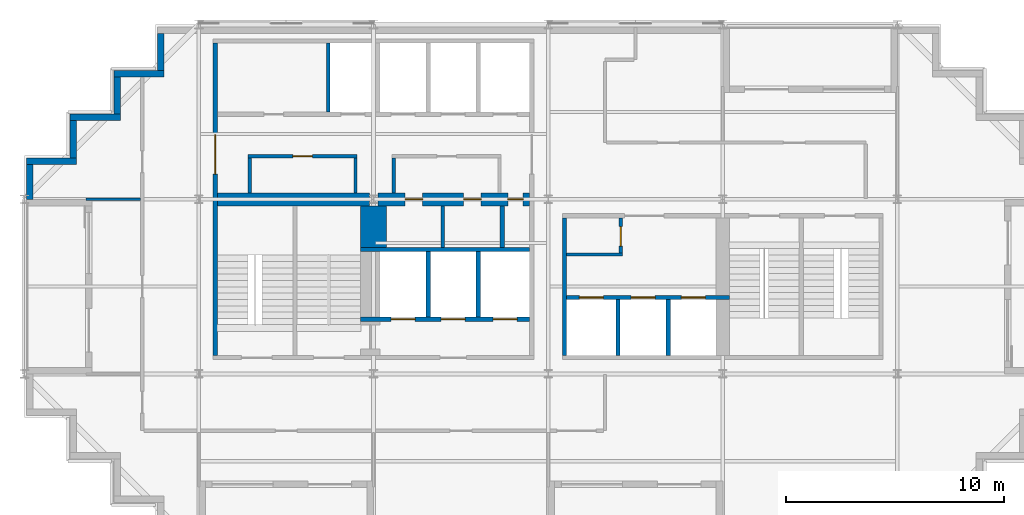
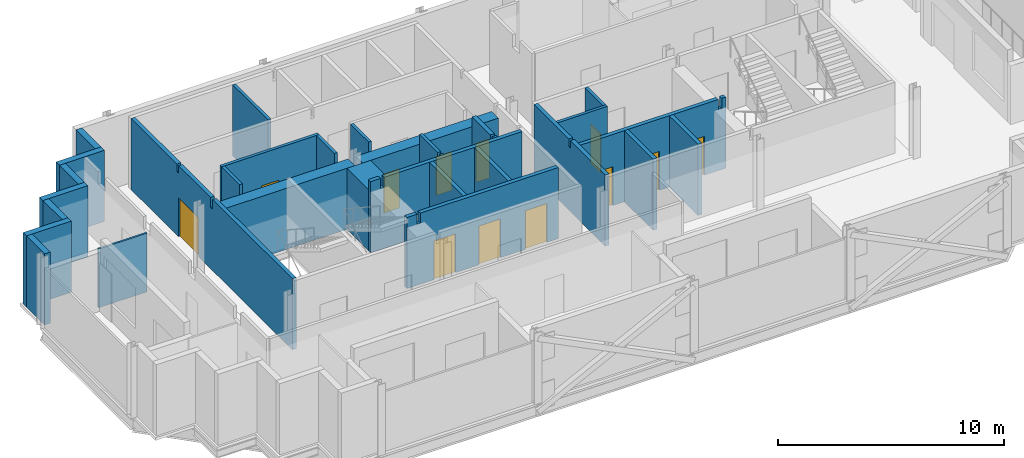
# One storey, part 5 of 8: 29 walls, 12 doors, 12 openings.
"""IFC4 building model written with IfcOpenShell, lengths in metres."""

from ifc_helpers import new_model, si_unit, direction, frame, frame_2d, origin, place, context, subcontext, project, spatial, polyline, rectangle, outline, extrude, material, layer, layer_set, type_object, element, fill, save


model = new_model("IFC4")

# Units and contexts
model_context = context("Model", 3, precision=1e-05, world=origin(), true_north=direction((0.0, 1.0)))
body_context = subcontext(model_context, "Body", "Model", "MODEL_VIEW")
ifc_project = project(units=[si_unit("LENGTHUNIT", "METRE"), si_unit("AREAUNIT", "SQUARE_METRE"), si_unit("VOLUMEUNIT", "CUBIC_METRE"), si_unit("PLANEANGLEUNIT", "RADIAN"), si_unit("MASSUNIT", "GRAM", prefix="KILO")], contexts=[model_context])

# Site, building, storey
site_placement = place(None, origin())
site = spatial("IfcSite", under=ifc_project, at=site_placement, CompositionType="ELEMENT")
building_placement = place(site_placement, origin())
building = spatial("IfcBuilding", under=site, at=building_placement, Name="Immortelle Media Tower", CompositionType="ELEMENT")
storey_placement = place(building_placement, frame((0.0, 0.0, 267.0)))
storey = spatial("IfcBuildingStorey", under=building, at=storey_placement, Name="L58", CompositionType="ELEMENT", Elevation=267.0)

# Wall, openings, doors
ifc_material_1 = material(Name="Fire-rated masonry blockwork", Category="masonry")
ifc_layer_1 = layer(ifc_material_1, 0.60009765625)
ifc_layer_set_1 = layer_set([ifc_layer_1], Name="Fire-rated masonry blockwork")
wall_type_1 = type_object("IfcWallType", Name="Core grid-line wall 600", PredefinedType="PARTITIONING", material=ifc_layer_set_1)
wall_1_placement = place(storey_placement, frame((16.195556640625, 16.0, 0.0), z_axis=(0.0, 0.0, 1.0), x_axis=(1.0, 0.0, 0.0)))
wall_1 = element("IfcWall", 1, at=wall_1_placement, inside=storey, type_object=wall_type_1, Name="Core grid-line wall SW", PredefinedType="PARTITIONING", context=body_context, shape_type="SweptSolid", body=[
    extrude(rectangle(XDim=6.954345703125, YDim=0.60009765625, at=frame_2d((3.47705078125, 0.0))), origin(), (0.0, 0.0, 1.0), 3.30810546875),
])
opening_1_placement = place(wall_1_placement, frame((2.054443359375, 0.0, 0.0), z_axis=(0.0, 0.0, 1.0), x_axis=(-1.0, 0.0, 0.0)))
opening_1 = element("IfcOpeningElement", 2, at=opening_1_placement, cuts=wall_1, Name="Opening X3-K010", PredefinedType="OPENING", context=body_context, shape_type="SweptSolid", body=[
    extrude(rectangle(XDim=0.800048828125, YDim=2.10009765625, at=frame_2d((0.39990234375, 1.050048828125))), frame((0.0, 0.31005859375, 0.0), z_axis=(0.0, -1.0, 0.0), x_axis=(1.0, 0.0, 0.0)), (0.0, 0.0, 1.0), 0.6201171875),
])
opening_2_placement = place(wall_1_placement, frame((4.7294921875, 0.0, 0.0), z_axis=(0.0, 0.0, 1.0), x_axis=(-1.0, 0.0, 0.0)))
opening_2 = element("IfcOpeningElement", 3, at=opening_2_placement, cuts=wall_1, Name="Opening X3-K015", PredefinedType="OPENING", context=body_context, shape_type="SweptSolid", body=[
    extrude(rectangle(XDim=0.800048828125, YDim=2.10009765625, at=frame_2d((0.39990234375, 1.050048828125))), frame((0.0, 0.31005859375, 0.0), z_axis=(0.0, -1.0, 0.0), x_axis=(1.0, 0.0, 0.0)), (0.0, 0.0, 1.0), 0.6201171875),
])
opening_3_placement = place(wall_1_placement, frame((6.654541015625, 0.0, 0.0), z_axis=(0.0, 0.0, 1.0), x_axis=(-1.0, 0.0, 0.0)))
opening_3 = element("IfcOpeningElement", 4, at=opening_3_placement, cuts=wall_1, Name="Opening X3-K018", PredefinedType="OPENING", context=body_context, shape_type="SweptSolid", body=[
    extrude(rectangle(XDim=0.699951171875, YDim=2.10009765625, at=frame_2d((0.35009765625, 1.050048828125))), frame((0.0, 0.31005859375, 0.0), z_axis=(0.0, -1.0, 0.0), x_axis=(1.0, 0.0, 0.0)), (0.0, 0.0, 1.0), 0.6201171875),
])
ifc_material_2 = material(Name="Galvanised steel door leaf and frame ASTM A653", Category="steel")
door_type_1 = type_object("IfcDoorType", Name="Service door 700 x 2100", OperationType="NOTDEFINED", PredefinedType="NOTDEFINED", material=ifc_material_2)
door_1_placement = place(opening_3_placement, origin())
door_1 = element("IfcDoor", 5, at=door_1_placement, inside=storey, type_object=door_type_1, Name="Service X3-K018", OperationType="SINGLE_SWING_LEFT", OverallHeight=2.10009765625, OverallWidth=0.699951171875, PredefinedType="NOTDEFINED", context=body_context, shape_type="SweptSolid", body=[
    extrude(rectangle(XDim=0.699951171875, YDim=2.10009765625, at=frame_2d((0.35009765625, 1.050048828125))), frame((0.0, 0.02490234375, 0.0), z_axis=(0.0, -1.0, 0.0), x_axis=(1.0, 0.0, 0.0)), (0.0, 0.0, 1.0), 0.050048828125),
])
fill(opening_3, door_1)
ifc_material_3 = material(Name="Timber", Category="wood")
door_type_2 = type_object("IfcDoorType", Name="Toilet door 800 x 2100", OperationType="NOTDEFINED", PredefinedType="NOTDEFINED", material=ifc_material_3)
door_2_placement = place(opening_1_placement, origin())
door_2 = element("IfcDoor", 6, at=door_2_placement, inside=storey, type_object=door_type_2, Name="Toilet X3-K010", OperationType="SINGLE_SWING_RIGHT", OverallHeight=2.10009765625, OverallWidth=0.800048828125, PredefinedType="NOTDEFINED", context=body_context, shape_type="SweptSolid", body=[
    extrude(rectangle(XDim=0.800048828125, YDim=2.10009765625, at=frame_2d((0.39990234375, 1.050048828125))), frame((0.0, 0.02490234375, 0.0), z_axis=(0.0, -1.0, 0.0), x_axis=(1.0, 0.0, 0.0)), (0.0, 0.0, 1.0), 0.050048828125),
])
fill(opening_1, door_2)
door_3_placement = place(opening_2_placement, origin())
door_3 = element("IfcDoor", 7, at=door_3_placement, inside=storey, type_object=door_type_2, Name="Toilet X3-K015", OperationType="SINGLE_SWING_LEFT", OverallHeight=2.10009765625, OverallWidth=0.800048828125, PredefinedType="NOTDEFINED", context=body_context, shape_type="SweptSolid", body=[
    extrude(rectangle(XDim=0.800048828125, YDim=2.10009765625, at=frame_2d((0.39990234375, 1.050048828125))), frame((0.0, 0.02490234375, 0.0), z_axis=(0.0, -1.0, 0.0), x_axis=(1.0, 0.0, 0.0)), (0.0, 0.0, 1.0), 0.050048828125),
])
fill(opening_2, door_3)

# Wall
ifc_material_4 = material(Name="Fire-rated gypsum board", Category="gypsum")
ifc_layer_2 = layer(ifc_material_4, 0.02490234375)
ifc_material_5 = material(Name="Steel ASTM A653 SS Gr 50 stud frame with mineral wool", Category="steel")
ifc_layer_3 = layer(ifc_material_5, 0.10009765625)
ifc_layer_4 = layer(ifc_material_4, 0.02490234375)
ifc_layer_set_2 = layer_set([ifc_layer_2, ifc_layer_3, ifc_layer_4], Name="Steel ASTM A653 SS Gr 50 stud frame with mineral wool")
wall_type_2 = type_object("IfcWallType", Name="Core partition 150", PredefinedType="PARTITIONING", material=ifc_layer_set_2)
wall_2_placement = place(storey_placement, frame((10.324951171875, 16.300048828125, 0.0), z_axis=(0.0, 0.0, 1.0), x_axis=(0.0, 1.0, 0.0)))
element("IfcWall", 8, at=wall_2_placement, inside=storey, type_object=wall_type_2, Name="Core partition SW", PredefinedType="PARTITIONING", context=body_context, shape_type="SweptSolid", body=[
    extrude(rectangle(XDim=1.599853515625, YDim=0.14990234375, at=frame_2d((0.7998046875, 0.0))), origin(), (0.0, 0.0, 1.0), 3.85009765625),
])

# Wall, opening, door
wall_3_placement = place(storey_placement, frame((10.25, 17.97509765625, 0.0), z_axis=(0.0, 0.0, 1.0), x_axis=(1.0, 0.0, 0.0)))
wall_3 = element("IfcWall", 9, at=wall_3_placement, inside=storey, type_object=wall_type_2, Name="Core partition SW", PredefinedType="PARTITIONING", context=body_context, shape_type="SweptSolid", body=[
    extrude(rectangle(XDim=5.0, YDim=0.14990234375, at=frame_2d((2.5, 0.0))), origin(), (0.0, 0.0, 1.0), 3.85009765625),
])
opening_4_placement = place(wall_3_placement, frame((2.949951171875, 0.0, 0.0), z_axis=(0.0, 0.0, 1.0), x_axis=(-1.0, 0.0, 0.0)))
opening_4 = element("IfcOpeningElement", 10, at=opening_4_placement, cuts=wall_3, Name="Opening X3-K004", PredefinedType="OPENING", context=body_context, shape_type="SweptSolid", body=[
    extrude(rectangle(XDim=0.89990234375, YDim=2.10009765625, at=frame_2d((0.449951171875, 1.050048828125))), frame((0.0, 0.0849609375, 0.0), z_axis=(0.0, -1.0, 0.0), x_axis=(1.0, 0.0, 0.0)), (0.0, 0.0, 1.0), 0.169921875),
])
door_type_3 = type_object("IfcDoorType", Name="Room door 900 x 2100", OperationType="NOTDEFINED", PredefinedType="NOTDEFINED", material=ifc_material_3)
door_4_placement = place(opening_4_placement, origin())
door_4 = element("IfcDoor", 11, at=door_4_placement, inside=storey, type_object=door_type_3, Name="Room X3-K004", OperationType="SINGLE_SWING_RIGHT", OverallHeight=2.10009765625, OverallWidth=0.89990234375, PredefinedType="NOTDEFINED", context=body_context, shape_type="SweptSolid", body=[
    extrude(rectangle(XDim=0.89990234375, YDim=2.10009765625, at=frame_2d((0.449951171875, 1.050048828125))), frame((0.0, 0.02490234375, 0.0), z_axis=(0.0, -1.0, 0.0), x_axis=(1.0, 0.0, 0.0)), (0.0, 0.0, 1.0), 0.050048828125),
])
fill(opening_4, door_4)

# Walls
wall_4_placement = place(storey_placement, frame((13.925048828125, 20.0, 0.0), z_axis=(0.0, 0.0, 1.0), x_axis=(0.0, 1.0, 0.0)))
element("IfcWall", 12, at=wall_4_placement, inside=storey, type_object=wall_type_2, Name="Core partition SW", PredefinedType="PARTITIONING", context=body_context, shape_type="SweptSolid", body=[
    extrude(rectangle(XDim=3.14990234375, YDim=0.14990234375, at=frame_2d((1.574951171875, 0.0))), origin(), (0.0, 0.0, 1.0), 3.85009765625),
])
for number, where, z_axis, x_axis, name in (
    (13, (15.175048828125, 16.300048828125, 0.0), (0.0, 0.0, 1.0), (0.0, 1.0, 0.0), "Core partition SW"),
    (14, (16.925048828125, 16.300048828125, 0.0), (0.0, 0.0, 1.0), (0.0, 1.0, 0.0), "Core partition SW"),
):
    element("IfcWall", number, at=place(storey_placement, frame(where, z_axis=z_axis, x_axis=x_axis)), inside=storey, type_object=wall_type_2, Name=name, PredefinedType="PARTITIONING", context=body_context, shape_type="SweptSolid", body=[
        extrude(rectangle(XDim=1.599853515625, YDim=0.14990234375, at=frame_2d((0.7998046875, 0.0))), origin(), (0.0, 0.0, 1.0), 3.85009765625),
    ])
wall_5_placement = place(storey_placement, frame((19.175048828125, 13.800048828125, 0.0), z_axis=(0.0, 0.0, 1.0), x_axis=(0.0, 1.0, 0.0)))
element("IfcWall", 15, at=wall_5_placement, inside=storey, type_object=wall_type_2, Name="Core partition SW", PredefinedType="PARTITIONING", context=body_context, shape_type="SweptSolid", body=[
    extrude(outline(polyline([(0.0, 0.0), (1.89990234375, 0.0), (1.89990234375, 3.85009765625), (0.27490234375, 3.85009765625), (0.27392578125, 3.43994140625), (0.1259765625, 3.43994140625), (0.125, 3.85009765625), (0.0, 3.85009765625), (0.0, 0.0)])), frame((0.0, 0.074951171875, 0.0), z_axis=(0.0, -1.0, 0.0), x_axis=(1.0, 0.0, 0.0)), (0.0, 0.0, 1.0), 0.14990234375),
])
wall_6_placement = place(storey_placement, frame((24.85009765625, 13.47509765625, 0.0), z_axis=(0.0, 0.0, 1.0), x_axis=(1.0, 0.0, 0.0)))
element("IfcWall", 16, at=wall_6_placement, inside=storey, type_object=wall_type_2, Name="Core partition SE", PredefinedType="PARTITIONING", context=body_context, shape_type="SweptSolid", body=[
    extrude(rectangle(XDim=2.5498046875, YDim=0.14990234375, at=frame_2d((1.27490234375, 0.0))), origin(), (0.0, 0.0, 1.0), 3.85009765625),
])

# Wall, opening, door
wall_7_placement = place(storey_placement, frame((27.324951171875, 13.550048828125, 0.0), z_axis=(0.0, 0.0, 1.0), x_axis=(0.0, 1.0, 0.0)))
wall_7 = element("IfcWall", 17, at=wall_7_placement, inside=storey, type_object=wall_type_2, Name="Core partition SE", PredefinedType="PARTITIONING", context=body_context, shape_type="SweptSolid", body=[
    extrude(rectangle(XDim=1.599853515625, YDim=0.14990234375, at=frame_2d((0.7998046875, 0.0))), origin(), (0.0, 0.0, 1.0), 3.85009765625),
])
opening_5_placement = place(wall_7_placement, frame((0.300048828125, 0.0, 0.0)))
opening_5 = element("IfcOpeningElement", 18, at=opening_5_placement, cuts=wall_7, Name="Opening X3-K021", PredefinedType="OPENING", context=body_context, shape_type="SweptSolid", body=[
    extrude(rectangle(XDim=0.89990234375, YDim=2.10009765625, at=frame_2d((0.449951171875, 1.050048828125))), frame((0.0, 0.0849609375, 0.0), z_axis=(0.0, -1.0, 0.0), x_axis=(1.0, 0.0, 0.0)), (0.0, 0.0, 1.0), 0.169921875),
])
door_type_4 = type_object("IfcDoorType", Name="Service door 900 x 2100", OperationType="NOTDEFINED", PredefinedType="NOTDEFINED", material=ifc_material_2)
door_5_placement = place(opening_5_placement, origin())
door_5 = element("IfcDoor", 19, at=door_5_placement, inside=storey, type_object=door_type_4, Name="Service X3-K021", OperationType="SINGLE_SWING_LEFT", OverallHeight=2.10009765625, OverallWidth=0.89990234375, PredefinedType="NOTDEFINED", context=body_context, shape_type="SweptSolid", body=[
    extrude(rectangle(XDim=0.89990234375, YDim=2.10009765625, at=frame_2d((0.449951171875, 1.050048828125))), frame((0.0, 0.02490234375, 0.0), z_axis=(0.0, -1.0, 0.0), x_axis=(1.0, 0.0, 0.0)), (0.0, 0.0, 1.0), 0.050048828125),
])
fill(opening_5, door_5)

# Wall, openings, doors
ifc_layer_5 = layer(ifc_material_4, 0.03759765625)
ifc_layer_6 = layer(ifc_material_5, 0.125)
ifc_layer_7 = layer(ifc_material_4, 0.03759765625)
ifc_layer_set_3 = layer_set([ifc_layer_5, ifc_layer_6, ifc_layer_7], Name="Steel ASTM A653 SS Gr 50 stud frame with mineral wool")
wall_type_3 = type_object("IfcWallType", Name="Core shaft wall 200", PredefinedType="PARTITIONING", material=ifc_layer_set_3)
wall_8_placement = place(storey_placement, frame((15.39990234375, 10.5, 0.0), z_axis=(0.0, 0.0, 1.0), x_axis=(1.0, 0.0, 0.0)))
wall_8 = element("IfcWall", 20, at=wall_8_placement, inside=storey, type_object=wall_type_3, Name="Core shaft wall SW", PredefinedType="PARTITIONING", context=body_context, shape_type="SweptSolid", body=[
    extrude(outline(polyline([(0.0, 0.0), (7.75, 0.0), (7.75, 3.85009765625), (0.6884765625, 3.85009765625), (0.6875, 3.30810546875), (0.512451171875, 3.30810546875), (0.511474609375, 3.85009765625), (0.0, 3.85009765625), (0.0, 0.0)])), frame((0.0, 0.10009765625, 0.0), z_axis=(0.0, -1.0, 0.0), x_axis=(1.0, 0.0, 0.0)), (0.0, 0.0, 1.0), 0.199951171875),
])
opening_6_placement = place(wall_8_placement, frame((1.39990234375, 0.0, 0.0)))
opening_6 = element("IfcOpeningElement", 21, at=opening_6_placement, cuts=wall_8, Name="Opening LD", PredefinedType="OPENING", context=body_context, shape_type="SweptSolid", body=[
    extrude(rectangle(XDim=1.10009765625, YDim=2.10009765625, at=frame_2d((0.550048828125, 1.050048828125))), frame((0.0, 0.10986328125, 0.0), z_axis=(0.0, -1.0, 0.0), x_axis=(1.0, 0.0, 0.0)), (0.0, 0.0, 1.0), 0.219970703125),
])
opening_7_placement = place(wall_8_placement, frame((3.699951171875, 0.0, 0.0)))
opening_7 = element("IfcOpeningElement", 22, at=opening_7_placement, cuts=wall_8, Name="Opening LD", PredefinedType="OPENING", context=body_context, shape_type="SweptSolid", body=[
    extrude(rectangle(XDim=1.10009765625, YDim=2.10009765625, at=frame_2d((0.550048828125, 1.050048828125))), frame((0.0, 0.10986328125, 0.0), z_axis=(0.0, -1.0, 0.0), x_axis=(1.0, 0.0, 0.0)), (0.0, 0.0, 1.0), 0.219970703125),
])
opening_8_placement = place(wall_8_placement, frame((6.074951171875, 0.0, 0.0)))
opening_8 = element("IfcOpeningElement", 23, at=opening_8_placement, cuts=wall_8, Name="Opening LD", PredefinedType="OPENING", context=body_context, shape_type="SweptSolid", body=[
    extrude(rectangle(XDim=1.10009765625, YDim=2.10009765625, at=frame_2d((0.550048828125, 1.050048828125))), frame((0.0, 0.10986328125, 0.0), z_axis=(0.0, -1.0, 0.0), x_axis=(1.0, 0.0, 0.0)), (0.0, 0.0, 1.0), 0.219970703125),
])
ifc_material_6 = material(Name="Stainless steel AISI 304", Category="steel")
door_type_5 = type_object("IfcDoorType", Name="Landing door 1100 x 2100", OperationType="SLIDING_TO_LEFT", PredefinedType="NOTDEFINED", material=ifc_material_6)
door_6_placement = place(opening_6_placement, origin())
door_6 = element("IfcDoor", 24, at=door_6_placement, inside=storey, type_object=door_type_5, Name="Landing door FF1 L58", OperationType="SLIDING_TO_LEFT", OverallHeight=2.10009765625, OverallWidth=1.10009765625, PredefinedType="NOTDEFINED", context=body_context, shape_type="SweptSolid", body=[
    extrude(rectangle(XDim=1.10009765625, YDim=2.10009765625, at=frame_2d((0.550048828125, 1.050048828125))), frame((0.0, 0.02490234375, 0.0), z_axis=(0.0, -1.0, 0.0), x_axis=(1.0, 0.0, 0.0)), (0.0, 0.0, 1.0), 0.050048828125),
])
fill(opening_6, door_6)
door_7_placement = place(opening_7_placement, origin())
door_7 = element("IfcDoor", 25, at=door_7_placement, inside=storey, type_object=door_type_5, Name="Landing door FF2 L58", OperationType="SLIDING_TO_LEFT", OverallHeight=2.10009765625, OverallWidth=1.10009765625, PredefinedType="NOTDEFINED", context=body_context, shape_type="SweptSolid", body=[
    extrude(rectangle(XDim=1.10009765625, YDim=2.10009765625, at=frame_2d((0.550048828125, 1.050048828125))), frame((0.0, 0.02490234375, 0.0), z_axis=(0.0, -1.0, 0.0), x_axis=(1.0, 0.0, 0.0)), (0.0, 0.0, 1.0), 0.050048828125),
])
fill(opening_7, door_7)
door_8_placement = place(opening_8_placement, origin())
door_8 = element("IfcDoor", 26, at=door_8_placement, inside=storey, type_object=door_type_5, Name="Landing door FF3 L58", OperationType="SLIDING_TO_LEFT", OverallHeight=2.10009765625, OverallWidth=1.10009765625, PredefinedType="NOTDEFINED", context=body_context, shape_type="SweptSolid", body=[
    extrude(rectangle(XDim=1.10009765625, YDim=2.10009765625, at=frame_2d((0.550048828125, 1.050048828125))), frame((0.0, 0.02490234375, 0.0), z_axis=(0.0, -1.0, 0.0), x_axis=(1.0, 0.0, 0.0)), (0.0, 0.0, 1.0), 0.050048828125),
])
fill(opening_8, door_8)

# Walls
wall_9_placement = place(storey_placement, frame((15.39990234375, 13.699951171875, 0.0), z_axis=(0.0, 0.0, 1.0), x_axis=(1.0, 0.0, 0.0)))
element("IfcWall", 27, at=wall_9_placement, inside=storey, type_object=wall_type_3, Name="Core shaft wall SW", PredefinedType="PARTITIONING", context=body_context, shape_type="SweptSolid", body=[
    extrude(outline(polyline([(0.0, 0.0), (7.75, 0.0), (7.75, 3.85009765625), (0.6884765625, 3.85009765625), (0.6875, 3.30810546875), (0.512451171875, 3.30810546875), (0.511474609375, 3.85009765625), (0.0, 3.85009765625), (0.0, 0.0)])), frame((0.0, 0.10009765625, 0.0), z_axis=(0.0, -1.0, 0.0), x_axis=(1.0, 0.0, 0.0)), (0.0, 0.0, 1.0), 0.199951171875),
])
for number, where, z_axis, x_axis, name in (
    (28, (18.5, 10.60009765625, 0.0), (0.0, 0.0, 1.0), (0.0, 1.0, 0.0), "Core shaft wall SW"),
    (29, (20.800048828125, 10.60009765625, 0.0), (0.0, 0.0, 1.0), (0.0, 1.0, 0.0), "Core shaft wall SW"),
):
    element("IfcWall", number, at=place(storey_placement, frame(where, z_axis=z_axis, x_axis=x_axis)), inside=storey, type_object=wall_type_3, Name=name, PredefinedType="PARTITIONING", context=body_context, shape_type="SweptSolid", body=[
        extrude(rectangle(XDim=3.0, YDim=0.199951171875, at=frame_2d((1.5, 0.0))), origin(), (0.0, 0.0, 1.0), 3.85009765625),
    ])
wall_10_placement = place(storey_placement, frame((21.89990234375, 13.800048828125, 0.0), z_axis=(0.0, 0.0, 1.0), x_axis=(0.0, 1.0, 0.0)))
element("IfcWall", 30, at=wall_10_placement, inside=storey, type_object=wall_type_3, Name="Core shaft wall SW", PredefinedType="PARTITIONING", context=body_context, shape_type="SweptSolid", body=[
    extrude(outline(polyline([(0.0, 0.0), (1.89990234375, 0.0), (1.89990234375, 3.85009765625), (0.27490234375, 3.85009765625), (0.27392578125, 3.43994140625), (0.1259765625, 3.43994140625), (0.125, 3.85009765625), (0.0, 3.85009765625), (0.0, 0.0)])), frame((0.0, 0.10009765625, 0.0), z_axis=(0.0, -1.0, 0.0), x_axis=(1.0, 0.0, 0.0)), (0.0, 0.0, 1.0), 0.199951171875),
])
wall_11_placement = place(storey_placement, frame((24.75, 8.85009765625, 0.0), z_axis=(0.0, 0.0, 1.0), x_axis=(0.0, 1.0, 0.0)))
element("IfcWall", 31, at=wall_11_placement, inside=storey, type_object=wall_type_3, Name="Core shaft wall SE", PredefinedType="PARTITIONING", context=body_context, shape_type="SweptSolid", body=[
    extrude(outline(polyline([(0.0, 0.0), (6.2998046875, 0.0), (6.300048828125, 3.85009765625), (3.22509765625, 3.85009765625), (3.22412109375, 3.43994140625), (3.075927734375, 3.43994140625), (3.074951171875, 3.85009765625), (0.0, 3.85009765625), (0.0, 0.0)])), frame((0.0, 0.10009765625, 0.0), z_axis=(0.0, -1.0, 0.0), x_axis=(1.0, 0.0, 0.0)), (0.0, 0.0, 1.0), 0.199951171875),
])

# Wall, openings, doors
wall_12_placement = place(storey_placement, frame((24.85009765625, 11.5, 0.0), z_axis=(0.0, 0.0, 1.0), x_axis=(1.0, 0.0, 0.0)))
wall_12 = element("IfcWall", 32, at=wall_12_placement, inside=storey, type_object=wall_type_3, Name="Core shaft wall SE", PredefinedType="PARTITIONING", context=body_context, shape_type="SweptSolid", body=[
    extrude(outline(polyline([(0.0, 0.0), (7.449951171875, 0.0), (7.449951171875, 3.85009765625), (7.238525390625, 3.85009765625), (7.237548828125, 3.30810546875), (7.0625, 3.30810546875), (7.0615234375, 3.85009765625), (0.0, 3.85009765625), (0.0, 0.0)])), frame((0.0, 0.10009765625, 0.0), z_axis=(0.0, -1.0, 0.0), x_axis=(1.0, 0.0, 0.0)), (0.0, 0.0, 1.0), 0.199951171875),
])
opening_9_placement = place(wall_12_placement, frame((0.574951171875, 0.0, 0.0)))
opening_9 = element("IfcOpeningElement", 33, at=opening_9_placement, cuts=wall_12, Name="Opening LD", PredefinedType="OPENING", context=body_context, shape_type="SweptSolid", body=[
    extrude(rectangle(XDim=1.10009765625, YDim=2.10009765625, at=frame_2d((0.550048828125, 1.050048828125))), frame((0.0, 0.10986328125, 0.0), z_axis=(0.0, -1.0, 0.0), x_axis=(1.0, 0.0, 0.0)), (0.0, 0.0, 1.0), 0.219970703125),
])
opening_10_placement = place(wall_12_placement, frame((2.949951171875, 0.0, 0.0)))
opening_10 = element("IfcOpeningElement", 34, at=opening_10_placement, cuts=wall_12, Name="Opening LD", PredefinedType="OPENING", context=body_context, shape_type="SweptSolid", body=[
    extrude(rectangle(XDim=1.10009765625, YDim=2.10009765625, at=frame_2d((0.550048828125, 1.050048828125))), frame((0.0, 0.10986328125, 0.0), z_axis=(0.0, -1.0, 0.0), x_axis=(1.0, 0.0, 0.0)), (0.0, 0.0, 1.0), 0.219970703125),
])
opening_11_placement = place(wall_12_placement, frame((5.25, 0.0, 0.0)))
opening_11 = element("IfcOpeningElement", 35, at=opening_11_placement, cuts=wall_12, Name="Opening LD", PredefinedType="OPENING", context=body_context, shape_type="SweptSolid", body=[
    extrude(rectangle(XDim=1.10009765625, YDim=2.10009765625, at=frame_2d((0.550048828125, 1.050048828125))), frame((0.0, 0.10986328125, 0.0), z_axis=(0.0, -1.0, 0.0), x_axis=(1.0, 0.0, 0.0)), (0.0, 0.0, 1.0), 0.219970703125),
])
door_9_placement = place(opening_9_placement, origin())
door_9 = element("IfcDoor", 36, at=door_9_placement, inside=storey, type_object=door_type_5, Name="Landing door HS1 L58", OperationType="SLIDING_TO_LEFT", OverallHeight=2.10009765625, OverallWidth=1.10009765625, PredefinedType="NOTDEFINED", context=body_context, shape_type="SweptSolid", body=[
    extrude(rectangle(XDim=1.10009765625, YDim=2.10009765625, at=frame_2d((0.550048828125, 1.050048828125))), frame((0.0, 0.02490234375, 0.0), z_axis=(0.0, -1.0, 0.0), x_axis=(1.0, 0.0, 0.0)), (0.0, 0.0, 1.0), 0.050048828125),
])
fill(opening_9, door_9)
door_10_placement = place(opening_10_placement, origin())
door_10 = element("IfcDoor", 37, at=door_10_placement, inside=storey, type_object=door_type_5, Name="Landing door HS2 L58", OperationType="SLIDING_TO_LEFT", OverallHeight=2.10009765625, OverallWidth=1.10009765625, PredefinedType="NOTDEFINED", context=body_context, shape_type="SweptSolid", body=[
    extrude(rectangle(XDim=1.10009765625, YDim=2.10009765625, at=frame_2d((0.550048828125, 1.050048828125))), frame((0.0, 0.02490234375, 0.0), z_axis=(0.0, -1.0, 0.0), x_axis=(1.0, 0.0, 0.0)), (0.0, 0.0, 1.0), 0.050048828125),
])
fill(opening_10, door_10)
door_11_placement = place(opening_11_placement, origin())
door_11 = element("IfcDoor", 38, at=door_11_placement, inside=storey, type_object=door_type_5, Name="Landing door HS3 L58", OperationType="SLIDING_TO_LEFT", OverallHeight=2.10009765625, OverallWidth=1.10009765625, PredefinedType="NOTDEFINED", context=body_context, shape_type="SweptSolid", body=[
    extrude(rectangle(XDim=1.10009765625, YDim=2.10009765625, at=frame_2d((0.550048828125, 1.050048828125))), frame((0.0, 0.02490234375, 0.0), z_axis=(0.0, -1.0, 0.0), x_axis=(1.0, 0.0, 0.0)), (0.0, 0.0, 1.0), 0.050048828125),
])
fill(opening_11, door_11)

# Walls
for number, where, z_axis, x_axis, name in (
    (39, (27.199951171875, 8.85009765625, 0.0), (0.0, 0.0, 1.0), (0.0, 1.0, 0.0), "Core shaft wall SE"),
    (40, (29.5, 8.85009765625, 0.0), (0.0, 0.0, 1.0), (0.0, 1.0, 0.0), "Core shaft wall SE"),
):
    element("IfcWall", number, at=place(storey_placement, frame(where, z_axis=z_axis, x_axis=x_axis)), inside=storey, type_object=wall_type_3, Name=name, PredefinedType="PARTITIONING", context=body_context, shape_type="SweptSolid", body=[
        extrude(rectangle(XDim=2.5498046875, YDim=0.199951171875, at=frame_2d((1.27490234375, 0.0))), origin(), (0.0, 0.0, 1.0), 3.85009765625),
    ])
ifc_material_7 = material(Name="Pale aluminium cladding panel", Category="aluminium")
ifc_layer_8 = layer(ifc_material_7, 0.030029296875)
ifc_layer_9 = layer(ifc_material_5, 0.257568359375)
ifc_material_8 = material(Name="Moisture-resistant gypsum board", Category="gypsum")
ifc_layer_10 = layer(ifc_material_8, 0.012451171875)
ifc_layer_set_4 = layer_set([ifc_layer_8, ifc_layer_9, ifc_layer_10], Name="Steel ASTM A653 SS Gr 50 stud frame with mineral wool")
wall_type_4 = type_object("IfcWallType", Name="Facade wall 300", PredefinedType="SOLIDWALL", material=ifc_layer_set_4)
wall_13_placement = place(storey_placement, frame((6.25, 23.60009765625, 0.0), z_axis=(0.0, 0.0, 1.0), x_axis=(0.0, -1.0, 0.0)))
element("IfcWall", 41, at=wall_13_placement, inside=storey, type_object=wall_type_4, Name="Facade wall L58 W21", PredefinedType="SOLIDWALL", context=body_context, shape_type="SweptSolid", body=[
    extrude(rectangle(XDim=1.7001953125, YDim=0.300048828125, at=frame_2d((0.85009765625, 0.0))), origin(), (0.0, 0.0, 1.0), 3.85009765625),
])
wall_14_placement = place(storey_placement, frame((6.39990234375, 21.75, 0.0), z_axis=(0.0, 0.0, 1.0), x_axis=(-1.0, 0.0, 0.0)))
element("IfcWall", 42, at=wall_14_placement, inside=storey, type_object=wall_type_4, Name="Facade wall L58 N22", PredefinedType="SOLIDWALL", context=body_context, shape_type="SweptSolid", body=[
    extrude(rectangle(XDim=2.2998046875, YDim=0.300048828125, at=frame_2d((1.14990234375, 0.0))), origin(), (0.0, 0.0, 1.0), 3.85009765625),
])
wall_15_placement = place(storey_placement, frame((4.25, 21.60009765625, 0.0), z_axis=(0.0, 0.0, 1.0), x_axis=(0.0, -1.0, 0.0)))
element("IfcWall", 43, at=wall_15_placement, inside=storey, type_object=wall_type_4, Name="Facade wall L58 W23", PredefinedType="SOLIDWALL", context=body_context, shape_type="SweptSolid", body=[
    extrude(rectangle(XDim=1.7001953125, YDim=0.300048828125, at=frame_2d((0.85009765625, 0.0))), origin(), (0.0, 0.0, 1.0), 3.85009765625),
])
wall_16_placement = place(storey_placement, frame((4.39990234375, 19.75, 0.0), z_axis=(0.0, 0.0, 1.0), x_axis=(-1.0, 0.0, 0.0)))
element("IfcWall", 44, at=wall_16_placement, inside=storey, type_object=wall_type_4, Name="Facade wall L58 N24", PredefinedType="SOLIDWALL", context=body_context, shape_type="SweptSolid", body=[
    extrude(rectangle(XDim=2.2998046875, YDim=0.300048828125, at=frame_2d((1.14990234375, 0.0))), origin(), (0.0, 0.0, 1.0), 3.85009765625),
])
wall_17_placement = place(storey_placement, frame((2.25, 19.60009765625, 0.0), z_axis=(0.0, 0.0, 1.0), x_axis=(0.0, -1.0, 0.0)))
element("IfcWall", 45, at=wall_17_placement, inside=storey, type_object=wall_type_4, Name="Facade wall L58 W25", PredefinedType="SOLIDWALL", context=body_context, shape_type="SweptSolid", body=[
    extrude(rectangle(XDim=1.7001953125, YDim=0.300048828125, at=frame_2d((0.85009765625, 0.0))), origin(), (0.0, 0.0, 1.0), 3.85009765625),
])
wall_18_placement = place(storey_placement, frame((2.39990234375, 17.75, 0.0), z_axis=(0.0, 0.0, 1.0), x_axis=(-1.0, 0.0, 0.0)))
element("IfcWall", 46, at=wall_18_placement, inside=storey, type_object=wall_type_4, Name="Facade wall L58 N26", PredefinedType="SOLIDWALL", context=body_context, shape_type="SweptSolid", body=[
    extrude(rectangle(XDim=2.2998046875, YDim=0.300048828125, at=frame_2d((1.14990234375, 0.0))), origin(), (0.0, 0.0, 1.0), 3.85009765625),
])
wall_19_placement = place(storey_placement, frame((0.25, 17.60009765625, 0.0), z_axis=(0.0, 0.0, 1.0), x_axis=(0.0, -1.0, 0.0)))
element("IfcWall", 47, at=wall_19_placement, inside=storey, type_object=wall_type_4, Name="Facade wall L58 W27", PredefinedType="SOLIDWALL", context=body_context, shape_type="SweptSolid", body=[
    extrude(rectangle(XDim=1.60009765625, YDim=0.300048828125, at=frame_2d((0.800048828125, 0.0))), origin(), (0.0, 0.0, 1.0), 3.85009765625),
])
ifc_material_9 = material(Name="Gypsum board", Category="gypsum")
ifc_layer_11 = layer(ifc_material_9, 0.012451171875)
ifc_layer_12 = layer(ifc_material_5, 0.074951171875)
ifc_layer_13 = layer(ifc_material_9, 0.012451171875)
ifc_layer_set_5 = layer_set([ifc_layer_11, ifc_layer_12, ifc_layer_13], Name="Steel ASTM A653 SS Gr 50 stud frame with mineral wool")
wall_type_5 = type_object("IfcWallType", Name="Partition 100", PredefinedType="PARTITIONING", material=ifc_layer_set_5)
wall_20_placement = place(storey_placement, frame((2.830078125, 16.0, 0.0), z_axis=(0.0, 0.0, 1.0), x_axis=(1.0, 0.0, 0.0)))
element("IfcWall", 48, at=wall_20_placement, inside=storey, type_object=wall_type_5, Name="Partition L58-008", PredefinedType="PARTITIONING", context=body_context, shape_type="SweptSolid", body=[
    extrude(rectangle(XDim=2.494873046875, YDim=0.10009765625, at=frame_2d((1.24755859375, 0.0))), origin(), (0.0, 0.0, 1.0), 3.172119140625),
])
ifc_material_10 = material(Name="Concrete C60", Category="concrete")
ifc_layer_14 = layer(ifc_material_10, 1.199951171875)
ifc_layer_set_6 = layer_set([ifc_layer_14], Name="Concrete C60")
wall_type_6 = type_object("IfcWallType", Name="Stair shaft wall 1200", PredefinedType="PARTITIONING", material=ifc_layer_set_6)
wall_21_placement = place(storey_placement, frame((16.0, 13.800048828125, 0.0), z_axis=(0.0, 0.0, 1.0), x_axis=(0.0, 1.0, 0.0)))
element("IfcWall", 49, at=wall_21_placement, inside=storey, type_object=wall_type_6, Name="Stair shaft wall SW", PredefinedType="PARTITIONING", context=body_context, shape_type="SweptSolid", body=[
    extrude(rectangle(XDim=1.89990234375, YDim=1.199951171875, at=frame_2d((0.949951171875, 0.0))), origin(), (0.0, 0.0, 1.0), 3.30810546875),
])

# Wall, opening, door
ifc_layer_15 = layer(ifc_material_10, 0.199951171875)
ifc_layer_set_7 = layer_set([ifc_layer_15], Name="Concrete C60")
wall_type_7 = type_object("IfcWallType", Name="Stair shaft wall 200", PredefinedType="PARTITIONING", material=ifc_layer_set_7)
wall_22_placement = place(storey_placement, frame((8.75, 8.85009765625, 0.0), z_axis=(0.0, 0.0, 1.0), x_axis=(0.0, 1.0, 0.0)))
wall_22 = element("IfcWall", 50, at=wall_22_placement, inside=storey, type_object=wall_type_7, Name="Stair shaft wall SW", PredefinedType="PARTITIONING", context=body_context, shape_type="SweptSolid", body=[
    extrude(outline(polyline([(0.0, 0.0), (14.2998046875, 0.0), (14.300048828125, 3.85009765625), (10.22509765625, 3.85009765625), (10.22412109375, 3.43994140625), (10.075927734375, 3.43994140625), (10.074951171875, 3.85009765625), (7.238525390625, 3.85009765625), (7.237548828125, 3.30810546875), (7.0625, 3.30810546875), (7.0615234375, 3.85009765625), (0.0, 3.85009765625), (0.0, 0.0)])), frame((0.0, 0.10009765625, 0.0), z_axis=(0.0, -1.0, 0.0), x_axis=(1.0, 0.0, 0.0)), (0.0, 0.0, 1.0), 0.199951171875),
])
opening_12_placement = place(wall_22_placement, frame((8.300048828125, 0.0, 0.0)))
opening_12 = element("IfcOpeningElement", 51, at=opening_12_placement, cuts=wall_22, Name="Opening X3-K001", PredefinedType="OPENING", context=body_context, shape_type="SweptSolid", body=[
    extrude(rectangle(XDim=1.800048828125, YDim=2.10009765625, at=frame_2d((0.89990234375, 1.050048828125))), frame((0.0, 0.10986328125, 0.0), z_axis=(0.0, -1.0, 0.0), x_axis=(1.0, 0.0, 0.0)), (0.0, 0.0, 1.0), 0.219970703125),
])
door_type_6 = type_object("IfcDoorType", Name="Lift lobby door 1800 x 2100", OperationType="DOUBLE_DOOR_SINGLE_SWING", PredefinedType="NOTDEFINED", material=ifc_material_2)
door_12_placement = place(opening_12_placement, origin())
door_12 = element("IfcDoor", 52, at=door_12_placement, inside=storey, type_object=door_type_6, Name="Lift lobby X3-K001", OperationType="DOUBLE_DOOR_SINGLE_SWING", OverallHeight=2.10009765625, OverallWidth=1.800048828125, PredefinedType="NOTDEFINED", context=body_context, shape_type="SweptSolid", body=[
    extrude(rectangle(XDim=1.800048828125, YDim=2.10009765625, at=frame_2d((0.89990234375, 1.050048828125))), frame((0.0, 0.02490234375, 0.0), z_axis=(0.0, -1.0, 0.0), x_axis=(1.0, 0.0, 0.0)), (0.0, 0.0, 1.0), 0.050048828125),
])
fill(opening_12, door_12)

# Wall
ifc_layer_16 = layer(ifc_material_10, 0.60009765625)
ifc_layer_set_8 = layer_set([ifc_layer_16], Name="Concrete C60")
wall_type_8 = type_object("IfcWallType", Name="Stair shaft wall 600", PredefinedType="PARTITIONING", material=ifc_layer_set_8)
wall_23_placement = place(storey_placement, frame((8.85009765625, 16.0, 0.0), z_axis=(0.0, 0.0, 1.0), x_axis=(1.0, 0.0, 0.0)))
element("IfcWall", 53, at=wall_23_placement, inside=storey, type_object=wall_type_8, Name="Stair shaft wall SW", PredefinedType="PARTITIONING", context=body_context, shape_type="SweptSolid", body=[
    extrude(rectangle(XDim=6.954345703125, YDim=0.60009765625, at=frame_2d((3.47705078125, 0.0))), origin(), (0.0, 0.0, 1.0), 3.30810546875),
])

save(model, "model.ifc")
